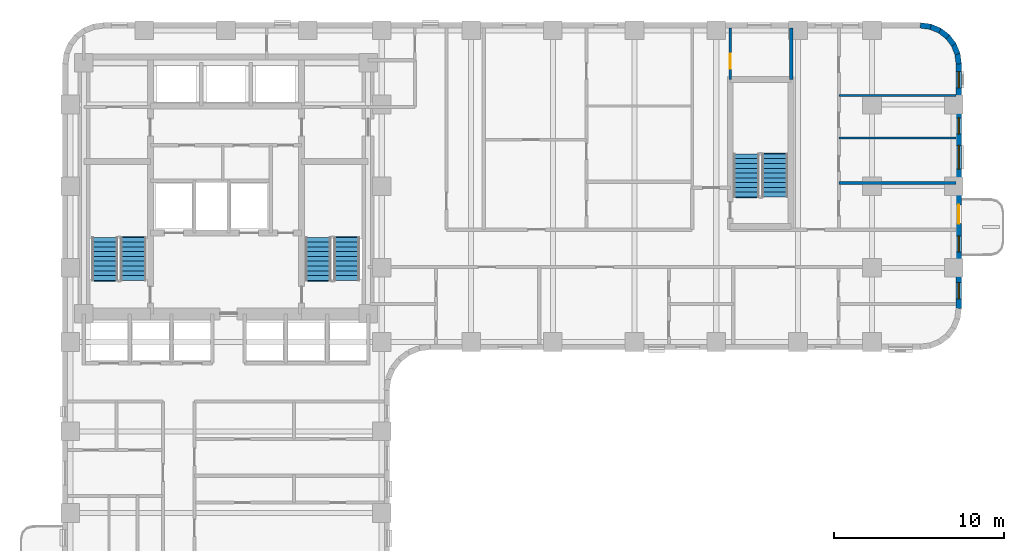
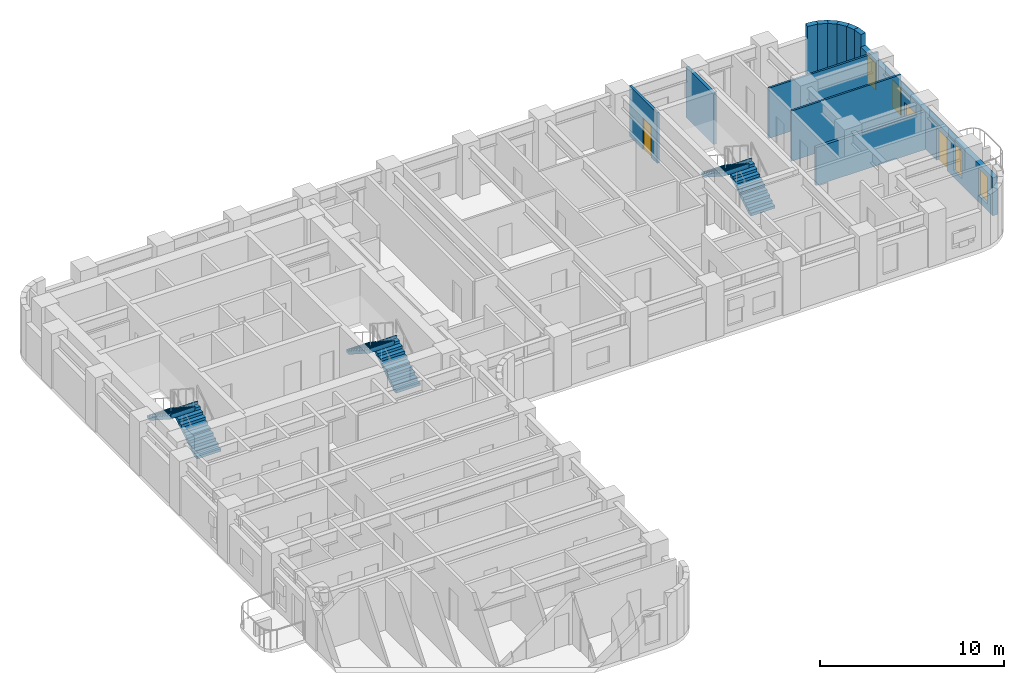
# One storey, part 8 of 12: 12 walls, 6 stair flights, 5 windows, 2 doors, 7 openings, 3 elements without a shape of their own.
"""IFC4 building model written with IfcOpenShell, lengths in metres."""

from ifc_helpers import new_model, si_unit, direction, frame, frame_2d, origin, place, context, subcontext, project, spatial, polyline, rectangle, outline, extrude, material, layer, layer_set, type_object, element, fill, aggregate, save


model = new_model("IFC4")

# Units and contexts
model_context = context("Model", 3, precision=1e-05, world=origin(), true_north=direction((0.0, 1.0)))
body_context = subcontext(model_context, "Body", "Model", "MODEL_VIEW")
ifc_project = project(units=[si_unit("LENGTHUNIT", "METRE"), si_unit("AREAUNIT", "SQUARE_METRE"), si_unit("VOLUMEUNIT", "CUBIC_METRE"), si_unit("PLANEANGLEUNIT", "RADIAN"), si_unit("MASSUNIT", "GRAM", prefix="KILO")], contexts=[model_context])

# Site, building, storey
site_placement = place(None, origin())
site = spatial("IfcSite", under=ifc_project, at=site_placement, CompositionType="ELEMENT")
building_placement = place(site_placement, origin())
building = spatial("IfcBuilding", under=site, at=building_placement, Name="Orvandelia Arch Residences", CompositionType="ELEMENT")
storey_placement = place(building_placement, frame((0.0, 0.0, 39.39990234375)))
storey = spatial("IfcBuildingStorey", under=building, at=storey_placement, Name="L09", CompositionType="ELEMENT", Elevation=39.39990234375)

# Walls
ifc_material_1 = material(Name="Concrete C40/50", Category="concrete")
ifc_layer_1 = layer(ifc_material_1, 0.199951171875, Name="Concrete C40/50", Category="concrete")
ifc_layer_set_1 = layer_set([ifc_layer_1], Name="Concrete C40/50")
wall_type_1 = type_object("IfcWallType", Name="WL-DEM-200", PredefinedType="SOLIDWALL", material=ifc_layer_set_1)
wall_1_placement = place(storey_placement, frame((47.60009765625, 44.659912109375, 0.0), z_axis=(0.0, 0.0, 1.0), x_axis=(0.0, 1.0, 0.0)))
element("IfcWall", 1, at=wall_1_placement, inside=storey, type_object=wall_type_1, Name="Interior Partition Wall WL-L09-ES-NST3E", PredefinedType="SOLIDWALL", context=body_context, shape_type="SweptSolid", body=[
    extrude(rectangle(XDim=3.02001953125, YDim=0.199951171875, at=frame_2d((1.510009765625, 0.0))), origin(), (0.0, 0.0, 1.0), 3.35009765625),
])
ifc_material_2 = material(Name="Precast concrete C40/50", Category="concrete")
ifc_layer_2 = layer(ifc_material_2, 0.320068359375, Name="Precast concrete C40/50", Category="concrete")
ifc_layer_set_2 = layer_set([ifc_layer_2], Name="Precast concrete C40/50")
wall_type_2 = type_object("IfcWallType", Name="WL-EXT-STONE-320", PredefinedType="STANDARD", material=ifc_layer_set_2)
for number, where, z_axis, x_axis, name in (
    (2, (55.17919921875, 47.84130859375, 0.0), (0.0, 0.0, 1.0), (0.9914410257, -0.130555323746, 0.0), "Coral-Limestone Precast Facade Wall L09-008"),
    (3, (55.760009765625, 47.7705078125, 0.0), (0.0, 0.0, 1.0), (0.92389335771, -0.382650053678, 0.0), "Coral-Limestone Precast Facade Wall L09-009"),
):
    element("IfcWall", number, at=place(storey_placement, frame(where, z_axis=z_axis, x_axis=x_axis)), inside=storey, type_object=wall_type_2, Name=name, PredefinedType="STANDARD", context=body_context, shape_type="SweptSolid", body=[
        extrude(rectangle(XDim=0.62646484375, YDim=0.320068359375, at=frame_2d((0.313232421875, 0.0))), origin(), (0.0, 0.0, 1.0), 3.35009765625),
    ])
wall_2_placement = place(storey_placement, frame((56.302490234375, 47.551513671875, 0.0), z_axis=(0.0, 0.0, 1.0), x_axis=(0.793549926411, -0.608505147302, 0.0)))
element("IfcWall", 4, at=wall_2_placement, inside=storey, type_object=wall_type_2, Name="Coral-Limestone Precast Facade Wall L09-010", PredefinedType="STANDARD", context=body_context, shape_type="SweptSolid", body=[
    extrude(rectangle(XDim=0.626708984375, YDim=0.320068359375, at=frame_2d((0.3134765625, 0.0))), origin(), (0.0, 0.0, 1.0), 3.35009765625),
])
for number, where, z_axis, x_axis, name in (
    (5, (56.770263671875, 47.19970703125, 0.0), (0.0, 0.0, 1.0), (0.608693302629, -0.793405610854, 0.0), "Coral-Limestone Precast Facade Wall L09-011"),
    (6, (57.130615234375, 46.73876953125, 0.0), (0.0, 0.0, 1.0), (0.382650053678, -0.92389335771, 0.0), "Coral-Limestone Precast Facade Wall L09-012"),
    (7, (57.359619140625, 46.2001953125, 0.0), (0.0, 0.0, 1.0), (0.130555323746, -0.9914410257, 0.0), "Coral-Limestone Precast Facade Wall L09-013"),
):
    element("IfcWall", number, at=place(storey_placement, frame(where, z_axis=z_axis, x_axis=x_axis)), inside=storey, type_object=wall_type_2, Name=name, PredefinedType="STANDARD", context=body_context, shape_type="SweptSolid", body=[
        extrude(rectangle(XDim=0.62646484375, YDim=0.320068359375, at=frame_2d((0.313232421875, 0.0))), origin(), (0.0, 0.0, 1.0), 3.35009765625),
    ])

# Wall, openings, door, windows
wall_3_placement = place(storey_placement, frame((57.43994140625, 45.60009765625, 0.0), z_axis=(0.0, 0.0, 1.0), x_axis=(0.0, -1.0, 0.0)))
wall_3 = element("IfcWall", 8, at=wall_3_placement, inside=storey, type_object=wall_type_2, Name="Coral-Limestone Precast Facade Wall L09-014", PredefinedType="STANDARD", context=body_context, shape_type="SweptSolid", body=[
    extrude(rectangle(XDim=14.400146484375, YDim=0.320068359375, at=frame_2d((7.2001953125, 0.0))), origin(), (0.0, 0.0, 1.0), 2.530029296875),
])
opening_1_placement = place(wall_3_placement, frame((8.300048828125, 0.0, 0.0)))
opening_1 = element("IfcOpeningElement", 9, at=opening_1_placement, cuts=wall_3, Name="Opening BD1", PredefinedType="OPENING", context=body_context, shape_type="SweptSolid", body=[
    extrude(rectangle(XDim=1.10009765625, YDim=2.14990234375, at=frame_2d((0.550048828125, 1.074951171875))), frame((0.0, 0.169921875, 0.0), z_axis=(0.0, -1.0, 0.0), x_axis=(1.0, 0.0, 0.0)), (0.0, 0.0, 1.0), 0.340087890625),
])
opening_2_placement = place(wall_3_placement, frame((0.469970703125, 0.0, 0.449951171875)))
opening_2 = element("IfcOpeningElement", 10, at=opening_2_placement, cuts=wall_3, Name="Opening W4", PredefinedType="OPENING", context=body_context, shape_type="SweptSolid", body=[
    extrude(rectangle(XDim=0.949951171875, YDim=1.800048828125, at=frame_2d((0.47509765625, 0.89990234375))), frame((0.0, 0.169921875, 0.0), z_axis=(0.0, -1.0, 0.0), x_axis=(1.0, 0.0, 0.0)), (0.0, 0.0, 1.0), 0.340087890625),
])
opening_3_placement = place(wall_3_placement, frame((10.114990234375, 0.0, 0.449951171875)))
opening_3 = element("IfcOpeningElement", 11, at=opening_3_placement, cuts=wall_3, Name="Opening W4", PredefinedType="OPENING", context=body_context, shape_type="SweptSolid", body=[
    extrude(rectangle(XDim=0.949951171875, YDim=1.800048828125, at=frame_2d((0.47509765625, 0.89990234375))), frame((0.0, 0.169921875, 0.0), z_axis=(0.0, -1.0, 0.0), x_axis=(1.0, 0.0, 0.0)), (0.0, 0.0, 1.0), 0.340087890625),
])
opening_4_placement = place(wall_3_placement, frame((12.867431640625, 0.0, 0.449951171875)))
opening_4 = element("IfcOpeningElement", 12, at=opening_4_placement, cuts=wall_3, Name="Opening W4", PredefinedType="OPENING", context=body_context, shape_type="SweptSolid", body=[
    extrude(rectangle(XDim=0.949951171875, YDim=1.800048828125, at=frame_2d((0.47509765625, 0.89990234375))), frame((0.0, 0.169921875, 0.0), z_axis=(0.0, -1.0, 0.0), x_axis=(1.0, 0.0, 0.0)), (0.0, 0.0, 1.0), 0.340087890625),
])
opening_5_placement = place(wall_3_placement, frame((4.798583984375, 0.0, 0.64990234375)))
opening_5 = element("IfcOpeningElement", 13, at=opening_5_placement, cuts=wall_3, Name="Opening W10", PredefinedType="OPENING", context=body_context, shape_type="SweptSolid", body=[
    extrude(rectangle(XDim=1.39990234375, YDim=1.10009765625, at=frame_2d((0.699951171875, 0.550048828125))), frame((0.0, 0.169921875, 0.0), z_axis=(0.0, -1.0, 0.0), x_axis=(1.0, 0.0, 0.0)), (0.0, 0.0, 1.0), 0.340087890625),
])
opening_6_placement = place(wall_3_placement, frame((3.193603515625, 0.0, 0.449951171875)))
opening_6 = element("IfcOpeningElement", 14, at=opening_6_placement, cuts=wall_3, Name="Opening W4", PredefinedType="OPENING", context=body_context, shape_type="SweptSolid", body=[
    extrude(rectangle(XDim=0.949951171875, YDim=1.800048828125, at=frame_2d((0.47509765625, 0.89990234375))), frame((0.0, 0.169921875, 0.0), z_axis=(0.0, -1.0, 0.0), x_axis=(1.0, 0.0, 0.0)), (0.0, 0.0, 1.0), 0.340087890625),
])
ifc_material_3 = material(Name="Thermally Broken Aluminium Glazed Door", Category="aluminium")
door_type_1 = type_object("IfcDoorType", Name="DR-BAL-GLAZ-1100", OperationType="NOTDEFINED", PredefinedType="DOOR", material=ifc_material_3)
door_1_placement = place(opening_1_placement, origin())
door_1 = element("IfcDoor", 15, at=door_1_placement, inside=storey, type_object=door_type_1, Name="Tree Balcony Glazed Door BAL-L09-E1", OperationType="SINGLE_SWING_LEFT", OverallHeight=2.14990234375, OverallWidth=1.10009765625, PredefinedType="DOOR", context=body_context, shape_type="SweptSolid", body=[
    extrude(rectangle(XDim=1.10009765625, YDim=2.14990234375, at=frame_2d((0.550048828125, 1.074951171875))), frame((0.0, 0.02490234375, 0.0), z_axis=(0.0, -1.0, 0.0), x_axis=(1.0, 0.0, 0.0)), (0.0, 0.0, 1.0), 0.050048828125),
])
fill(opening_1, door_1)
ifc_material_4 = material(Name="Tempered Low-E Insulated Glazing", Category="glass")
window_type_1 = type_object("IfcWindowType", Name="WIN-CLR-1400x1100", PartitioningType="SINGLE_PANEL", PredefinedType="WINDOW", material=ifc_material_4)
window_1_placement = place(opening_5_placement, origin())
window_1 = element("IfcWindow", 16, at=window_1_placement, inside=storey, type_object=window_type_1, Name="Recessed Punched Window L09-012", OverallHeight=1.10009765625, OverallWidth=1.39990234375, PartitioningType="SINGLE_PANEL", PredefinedType="WINDOW", context=body_context, shape_type="SweptSolid", body=[
    extrude(rectangle(XDim=1.39990234375, YDim=1.10009765625, at=frame_2d((0.699951171875, 0.550048828125))), frame((0.0, 0.030029296875, 0.0), z_axis=(0.0, -1.0, 0.0), x_axis=(1.0, 0.0, 0.0)), (0.0, 0.0, 1.0), 0.06005859375),
])
fill(opening_5, window_1)
window_type_2 = type_object("IfcWindowType", Name="WIN-RES-0950x1800", PartitioningType="SINGLE_PANEL", PredefinedType="WINDOW", material=ifc_material_4)
window_2_placement = place(opening_2_placement, origin())
window_2 = element("IfcWindow", 17, at=window_2_placement, inside=storey, type_object=window_type_2, Name="Recessed Punched Window L09-009", OverallHeight=1.800048828125, OverallWidth=0.949951171875, PartitioningType="SINGLE_PANEL", PredefinedType="WINDOW", context=body_context, shape_type="SweptSolid", body=[
    extrude(rectangle(XDim=0.949951171875, YDim=1.800048828125, at=frame_2d((0.47509765625, 0.89990234375))), frame((0.0, 0.030029296875, 0.0), z_axis=(0.0, -1.0, 0.0), x_axis=(1.0, 0.0, 0.0)), (0.0, 0.0, 1.0), 0.06005859375),
])
fill(opening_2, window_2)
window_3_placement = place(opening_3_placement, origin())
window_3 = element("IfcWindow", 18, at=window_3_placement, inside=storey, type_object=window_type_2, Name="Recessed Punched Window L09-010", OverallHeight=1.800048828125, OverallWidth=0.949951171875, PartitioningType="SINGLE_PANEL", PredefinedType="WINDOW", context=body_context, shape_type="SweptSolid", body=[
    extrude(rectangle(XDim=0.949951171875, YDim=1.800048828125, at=frame_2d((0.47509765625, 0.89990234375))), frame((0.0, 0.030029296875, 0.0), z_axis=(0.0, -1.0, 0.0), x_axis=(1.0, 0.0, 0.0)), (0.0, 0.0, 1.0), 0.06005859375),
])
fill(opening_3, window_3)
window_4_placement = place(opening_4_placement, origin())
window_4 = element("IfcWindow", 19, at=window_4_placement, inside=storey, type_object=window_type_2, Name="Recessed Punched Window L09-011", OverallHeight=1.800048828125, OverallWidth=0.949951171875, PartitioningType="SINGLE_PANEL", PredefinedType="WINDOW", context=body_context, shape_type="SweptSolid", body=[
    extrude(rectangle(XDim=0.949951171875, YDim=1.800048828125, at=frame_2d((0.47509765625, 0.89990234375))), frame((0.0, 0.030029296875, 0.0), z_axis=(0.0, -1.0, 0.0), x_axis=(1.0, 0.0, 0.0)), (0.0, 0.0, 1.0), 0.06005859375),
])
fill(opening_4, window_4)
window_5_placement = place(opening_6_placement, origin())
window_5 = element("IfcWindow", 20, at=window_5_placement, inside=storey, type_object=window_type_2, Name="Recessed Punched Window L09-013", OverallHeight=1.800048828125, OverallWidth=0.949951171875, PartitioningType="SINGLE_PANEL", PredefinedType="WINDOW", context=body_context, shape_type="SweptSolid", body=[
    extrude(rectangle(XDim=0.949951171875, YDim=1.800048828125, at=frame_2d((0.47509765625, 0.89990234375))), frame((0.0, 0.030029296875, 0.0), z_axis=(0.0, -1.0, 0.0), x_axis=(1.0, 0.0, 0.0)), (0.0, 0.0, 1.0), 0.06005859375),
])
fill(opening_6, window_5)

# Walls
ifc_material_5 = material(Name="Lightweight Gypsum Stud Partition")
ifc_layer_3 = layer(ifc_material_5, 0.1201171875, Name="Lightweight Gypsum Stud Partition")
ifc_layer_set_3 = layer_set([ifc_layer_3], Name="Lightweight Gypsum Stud Partition")
wall_type_3 = type_object("IfcWallType", Name="WL-PART-120", PredefinedType="PARTITIONING", material=ifc_layer_set_3)
for number, where, z_axis, x_axis, name in (
    (21, (50.39697265625, 41.23291015625, 0.0), (0.0, 0.0, 1.0), (1.0, 0.0, 0.0), "Interior Partition Wall WL-L09-U12-H1B"),
    (22, (50.39697265625, 43.718994140625, 0.0), (0.0, 0.0, 1.0), (1.0, 0.0, 0.0), "Interior Partition Wall WL-L09-U12-H2"),
):
    element("IfcWall", number, at=place(storey_placement, frame(where, z_axis=z_axis, x_axis=x_axis)), inside=storey, type_object=wall_type_3, Name=name, PredefinedType="PARTITIONING", context=body_context, shape_type="SweptSolid", body=[
        extrude(rectangle(XDim=6.883056640625, YDim=0.1201171875, at=frame_2d((3.44140625, 0.0))), origin(), (0.0, 0.0, 1.0), 3.35009765625),
    ])

# Wall, opening, door
ifc_material_6 = material(Name="Acoustic Gypsum Stud Partition")
ifc_layer_4 = layer(ifc_material_6, 0.14990234375, Name="Acoustic Gypsum Stud Partition")
ifc_layer_set_4 = layer_set([ifc_layer_4], Name="Acoustic Gypsum Stud Partition")
wall_type_4 = type_object("IfcWallType", Name="WL-PART-150", PredefinedType="PARTITIONING", material=ifc_layer_set_4)
wall_4_placement = place(storey_placement, frame((44.02001953125, 44.659912109375, 0.0), z_axis=(0.0, 0.0, 1.0), x_axis=(0.0, 1.0, 0.0)))
wall_4 = element("IfcWall", 23, at=wall_4_placement, inside=storey, type_object=wall_type_4, Name="Interior Partition Wall WL-L09-ES-NST3W", PredefinedType="PARTITIONING", context=body_context, shape_type="SweptSolid", body=[
    extrude(rectangle(XDim=3.02001953125, YDim=0.14990234375, at=frame_2d((1.510009765625, 0.0))), origin(), (0.0, 0.0, 1.0), 3.35009765625),
])
opening_7_placement = place(wall_4_placement, frame((0.64990234375, 0.0, 0.0)))
opening_7 = element("IfcOpeningElement", 24, at=opening_7_placement, cuts=wall_4, Name="Opening D5", PredefinedType="OPENING", context=body_context, shape_type="SweptSolid", body=[
    extrude(rectangle(XDim=0.8798828125, YDim=2.10009765625, at=frame_2d((0.43994140625, 1.050048828125))), frame((0.0, 0.0849609375, 0.0), z_axis=(0.0, -1.0, 0.0), x_axis=(1.0, 0.0, 0.0)), (0.0, 0.0, 1.0), 0.169921875),
])
ifc_material_7 = material(Name="Painted Galvanised Steel Service Door", Category="steel")
door_type_2 = type_object("IfcDoorType", Name="DR-SRV-880", OperationType="NOTDEFINED", PredefinedType="DOOR", material=ifc_material_7)
door_2_placement = place(opening_7_placement, origin())
door_2 = element("IfcDoor", 25, at=door_2_placement, inside=storey, type_object=door_type_2, Name="DR-L09-ESNST3", OperationType="SINGLE_SWING_RIGHT", OverallHeight=2.10009765625, OverallWidth=0.8798828125, PredefinedType="DOOR", context=body_context, shape_type="SweptSolid", body=[
    extrude(rectangle(XDim=0.8798828125, YDim=2.10009765625, at=frame_2d((0.43994140625, 1.050048828125))), frame((0.0, 0.02490234375, 0.0), z_axis=(0.0, -1.0, 0.0), x_axis=(1.0, 0.0, 0.0)), (0.0, 0.0, 1.0), 0.050048828125),
])
fill(opening_7, door_2)

# Wall
ifc_material_8 = material(Name="Moisture-Resistant Plumbing Wall")
ifc_layer_5 = layer(ifc_material_8, 0.179931640625, Name="Moisture-Resistant Plumbing Wall")
ifc_layer_set_5 = layer_set([ifc_layer_5], Name="Moisture-Resistant Plumbing Wall")
wall_type_5 = type_object("IfcWallType", Name="WL-WET-180", PredefinedType="PLUMBINGWALL", material=ifc_layer_set_5)
wall_5_placement = place(storey_placement, frame((50.39697265625, 38.591064453125, 0.0), z_axis=(0.0, 0.0, 1.0), x_axis=(1.0, 0.0, 0.0)))
element("IfcWall", 26, at=wall_5_placement, inside=storey, type_object=wall_type_5, Name="Interior Partition Wall WL-L09-U12-H1", PredefinedType="PLUMBINGWALL", context=body_context, shape_type="SweptSolid", body=[
    extrude(rectangle(XDim=6.883056640625, YDim=0.179931640625, at=frame_2d((3.44140625, 0.0))), origin(), (0.0, 0.0, 1.0), 2.530029296875),
])

# Stair, stair flights
stair_type = type_object("IfcStairType", Name="STAIR-RC-DOGLEG", PredefinedType="HALF_TURN_STAIR", material=ifc_material_1)
stair_1_placement = place(storey_placement, origin())
stair_1 = element("IfcStair", 27, at=stair_1_placement, inside=storey, type_object=stair_type, Name="L09 Protected Exit Stair ST-1", PredefinedType="HALF_TURN_STAIR")
stair_flight_type = type_object("IfcStairFlightType", Name="STFLT-RC-1520", PredefinedType="STRAIGHT", material=ifc_material_1)
stair_flight_1_placement = place(storey_placement, frame((8.9599609375, 32.8701171875, 0.0), z_axis=(0.0, 0.0, 1.0), x_axis=(0.0, 1.0, 0.0)))
stair_flight_1 = element("IfcStairFlight", 28, at=stair_flight_1_placement, type_object=stair_flight_type, Name="ST-1 flight 1", NumberOfRisers=10, NumberOfTreads=9, PredefinedType="STRAIGHT", RiserHeight=0.18, TreadLength=0.28, context=body_context, shape_type="SweptSolid", body=[
    extrude(outline(polyline([(0.0, 0.0), (0.0, 0.179931640625), (0.280029296875, 0.179931640625), (0.280029296875, 0.360107421875), (0.56005859375, 0.360107421875), (0.56005859375, 0.5400390625), (0.840087890625, 0.5400390625), (0.840087890625, 0.719970703125), (1.1201171875, 0.719970703125), (1.1201171875, 0.89990234375), (1.39990234375, 0.89990234375), (1.39990234375, 1.080078125), (1.679931640625, 1.080078125), (1.679931640625, 1.260009765625), (1.9599609375, 1.260009765625), (1.9599609375, 1.43994140625), (2.239990234375, 1.43994140625), (2.239990234375, 1.6201171875), (2.52001953125, 1.6201171875), (2.52001953125, 1.800048828125), (2.580078125, 1.800048828125), (2.580078125, 1.6201171875), (2.52001953125, 1.44189453125), (0.277099609375, 0.0), (0.0, 0.0)])), frame((0.0, 0.760009765625, 0.0), z_axis=(0.0, -1.0, 0.0), x_axis=(1.0, 0.0, 0.0)), (0.0, 0.0, 1.0), 1.52001953125),
])
stair_flight_2_placement = place(storey_placement, frame((7.2900390625, 35.389892578125, 1.800048828125), z_axis=(0.0, 0.0, 1.0), x_axis=(0.0, -1.0, 0.0)))
stair_flight_2 = element("IfcStairFlight", 29, at=stair_flight_2_placement, type_object=stair_flight_type, Name="ST-1 flight 2", NumberOfRisers=10, NumberOfTreads=9, PredefinedType="STRAIGHT", RiserHeight=0.18, TreadLength=0.28, context=body_context, shape_type="SweptSolid", body=[
    extrude(outline(polyline([(0.0, 0.0), (0.0, 0.179931640625), (0.280029296875, 0.179931640625), (0.280029296875, 0.360107421875), (0.56005859375, 0.360107421875), (0.56005859375, 0.5400390625), (0.840087890625, 0.5400390625), (0.840087890625, 0.719970703125), (1.1201171875, 0.719970703125), (1.1201171875, 0.89990234375), (1.39990234375, 0.89990234375), (1.39990234375, 1.080078125), (1.679931640625, 1.080078125), (1.679931640625, 1.260009765625), (1.9599609375, 1.260009765625), (1.9599609375, 1.43994140625), (2.239990234375, 1.43994140625), (2.239990234375, 1.6201171875), (2.52001953125, 1.6201171875), (2.52001953125, 1.800048828125), (2.580078125, 1.800048828125), (2.580078125, 1.6201171875), (2.52001953125, 1.44189453125), (0.277099609375, 0.0), (0.0, 0.0)])), frame((0.0, 0.760009765625, 0.0), z_axis=(0.0, -1.0, 0.0), x_axis=(1.0, 0.0, 0.0)), (0.0, 0.0, 1.0), 1.52001953125),
])
aggregate(stair_1, [stair_flight_1, stair_flight_2])

stair_2_placement = place(storey_placement, origin())
stair_2 = element("IfcStair", 30, at=stair_2_placement, inside=storey, type_object=stair_type, Name="L09 Protected Exit Stair ST-2", PredefinedType="HALF_TURN_STAIR")
stair_flight_3_placement = place(storey_placement, frame((21.489990234375, 32.8701171875, 0.0), z_axis=(0.0, 0.0, 1.0), x_axis=(0.0, 1.0, 0.0)))
stair_flight_3 = element("IfcStairFlight", 31, at=stair_flight_3_placement, type_object=stair_flight_type, Name="ST-2 flight 1", NumberOfRisers=10, NumberOfTreads=9, PredefinedType="STRAIGHT", RiserHeight=0.18, TreadLength=0.28, context=body_context, shape_type="SweptSolid", body=[
    extrude(outline(polyline([(0.0, 0.0), (0.0, 0.179931640625), (0.280029296875, 0.179931640625), (0.280029296875, 0.360107421875), (0.56005859375, 0.360107421875), (0.56005859375, 0.5400390625), (0.840087890625, 0.5400390625), (0.840087890625, 0.719970703125), (1.1201171875, 0.719970703125), (1.1201171875, 0.89990234375), (1.39990234375, 0.89990234375), (1.39990234375, 1.080078125), (1.679931640625, 1.080078125), (1.679931640625, 1.260009765625), (1.9599609375, 1.260009765625), (1.9599609375, 1.43994140625), (2.239990234375, 1.43994140625), (2.239990234375, 1.6201171875), (2.52001953125, 1.6201171875), (2.52001953125, 1.800048828125), (2.580078125, 1.800048828125), (2.580078125, 1.6201171875), (2.52001953125, 1.44189453125), (0.277099609375, 0.0), (0.0, 0.0)])), frame((0.0, 0.760009765625, 0.0), z_axis=(0.0, -1.0, 0.0), x_axis=(1.0, 0.0, 0.0)), (0.0, 0.0, 1.0), 1.52001953125),
])
stair_flight_4_placement = place(storey_placement, frame((19.820068359375, 35.389892578125, 1.800048828125), z_axis=(0.0, 0.0, 1.0), x_axis=(0.0, -1.0, 0.0)))
stair_flight_4 = element("IfcStairFlight", 32, at=stair_flight_4_placement, type_object=stair_flight_type, Name="ST-2 flight 2", NumberOfRisers=10, NumberOfTreads=9, PredefinedType="STRAIGHT", RiserHeight=0.18, TreadLength=0.28, context=body_context, shape_type="SweptSolid", body=[
    extrude(outline(polyline([(0.0, 0.0), (0.0, 0.179931640625), (0.280029296875, 0.179931640625), (0.280029296875, 0.360107421875), (0.56005859375, 0.360107421875), (0.56005859375, 0.5400390625), (0.840087890625, 0.5400390625), (0.840087890625, 0.719970703125), (1.1201171875, 0.719970703125), (1.1201171875, 0.89990234375), (1.39990234375, 0.89990234375), (1.39990234375, 1.080078125), (1.679931640625, 1.080078125), (1.679931640625, 1.260009765625), (1.9599609375, 1.260009765625), (1.9599609375, 1.43994140625), (2.239990234375, 1.43994140625), (2.239990234375, 1.6201171875), (2.52001953125, 1.6201171875), (2.52001953125, 1.800048828125), (2.580078125, 1.800048828125), (2.580078125, 1.6201171875), (2.52001953125, 1.44189453125), (0.277099609375, 0.0), (0.0, 0.0)])), frame((0.0, 0.760009765625, 0.0), z_axis=(0.0, -1.0, 0.0), x_axis=(1.0, 0.0, 0.0)), (0.0, 0.0, 1.0), 1.52001953125),
])
aggregate(stair_2, [stair_flight_3, stair_flight_4])

stair_3_placement = place(storey_placement, origin())
stair_3 = element("IfcStair", 33, at=stair_3_placement, inside=storey, type_object=stair_type, Name="L09 East Wing Exit Stair ST-3", PredefinedType="HALF_TURN_STAIR")
stair_flight_5_placement = place(storey_placement, frame((46.639892578125, 37.77001953125, 0.0), z_axis=(0.0, 0.0, 1.0), x_axis=(0.0, 1.0, 0.0)))
stair_flight_5 = element("IfcStairFlight", 34, at=stair_flight_5_placement, type_object=stair_flight_type, Name="ST-3 flight 1", NumberOfRisers=10, NumberOfTreads=9, PredefinedType="STRAIGHT", RiserHeight=0.18, TreadLength=0.28, context=body_context, shape_type="SweptSolid", body=[
    extrude(outline(polyline([(0.0, 0.0), (0.0, 0.179931640625), (0.280029296875, 0.179931640625), (0.280029296875, 0.360107421875), (0.56005859375, 0.360107421875), (0.56005859375, 0.5400390625), (0.840087890625, 0.5400390625), (0.840087890625, 0.719970703125), (1.1201171875, 0.719970703125), (1.1201171875, 0.89990234375), (1.39990234375, 0.89990234375), (1.39990234375, 1.080078125), (1.679931640625, 1.080078125), (1.679931640625, 1.260009765625), (1.9599609375, 1.260009765625), (1.9599609375, 1.43994140625), (2.239990234375, 1.43994140625), (2.239990234375, 1.6201171875), (2.52001953125, 1.6201171875), (2.52001953125, 1.800048828125), (2.580078125, 1.800048828125), (2.580078125, 1.6201171875), (2.52001953125, 1.44189453125), (0.277099609375, 0.0), (0.0, 0.0)])), frame((0.0, 0.760009765625, 0.0), z_axis=(0.0, -1.0, 0.0), x_axis=(1.0, 0.0, 0.0)), (0.0, 0.0, 1.0), 1.52001953125),
])
stair_flight_6_placement = place(storey_placement, frame((44.969970703125, 40.2900390625, 1.800048828125), z_axis=(0.0, 0.0, 1.0), x_axis=(0.0, -1.0, 0.0)))
stair_flight_6 = element("IfcStairFlight", 35, at=stair_flight_6_placement, type_object=stair_flight_type, Name="ST-3 flight 2", NumberOfRisers=10, NumberOfTreads=9, PredefinedType="STRAIGHT", RiserHeight=0.18, TreadLength=0.28, context=body_context, shape_type="SweptSolid", body=[
    extrude(outline(polyline([(0.0, 0.0), (0.0, 0.179931640625), (0.280029296875, 0.179931640625), (0.280029296875, 0.360107421875), (0.56005859375, 0.360107421875), (0.56005859375, 0.5400390625), (0.840087890625, 0.5400390625), (0.840087890625, 0.719970703125), (1.1201171875, 0.719970703125), (1.1201171875, 0.89990234375), (1.39990234375, 0.89990234375), (1.39990234375, 1.080078125), (1.679931640625, 1.080078125), (1.679931640625, 1.260009765625), (1.9599609375, 1.260009765625), (1.9599609375, 1.43994140625), (2.239990234375, 1.43994140625), (2.239990234375, 1.6201171875), (2.52001953125, 1.6201171875), (2.52001953125, 1.800048828125), (2.580078125, 1.800048828125), (2.580078125, 1.6201171875), (2.52001953125, 1.44189453125), (0.277099609375, 0.0), (0.0, 0.0)])), frame((0.0, 0.760009765625, 0.0), z_axis=(0.0, -1.0, 0.0), x_axis=(1.0, 0.0, 0.0)), (0.0, 0.0, 1.0), 1.52001953125),
])
aggregate(stair_3, [stair_flight_5, stair_flight_6])

save(model, "model.ifc")
